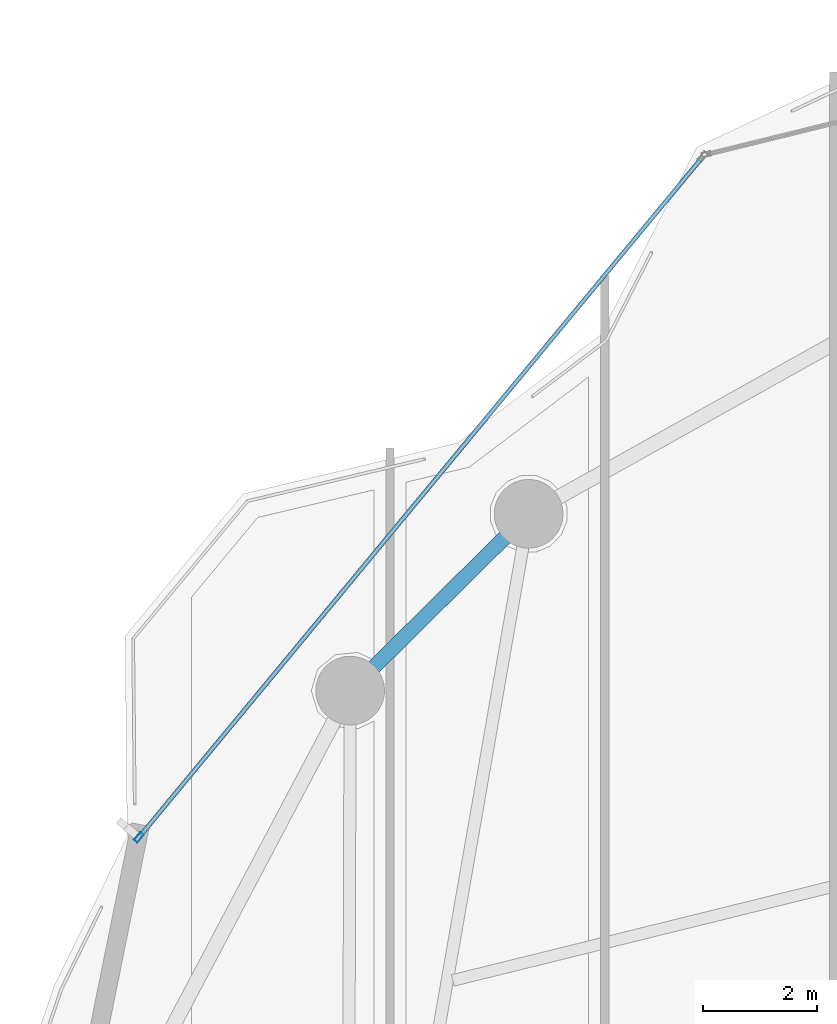
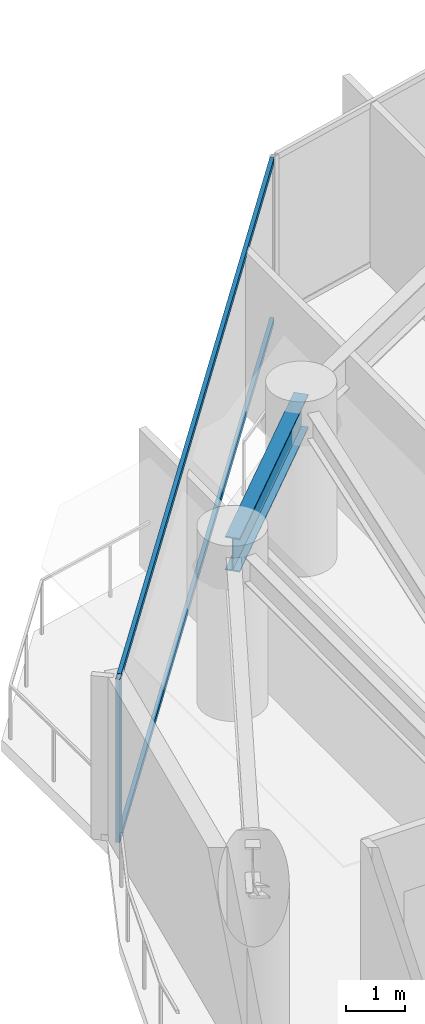
# One storey, part 16 of 28: 3 members, 1 beam, 1 element without a shape of its own.
"""IFC4 building model written with IfcOpenShell, lengths in metres."""

from ifc_helpers import new_model, si_unit, direction, frame, origin, origin_2d, place, context, subcontext, project, spatial, hollow_rectangle, i_section, extrude, material, layer, layer_set, material_profile, profile_set, type_object, element, aggregate, save


model = new_model("IFC4")

# Units and contexts
model_context = context("Model", 3, precision=1e-05, world=origin(), true_north=direction((0.0, 1.0)))
body_context = subcontext(model_context, "Body", "Model", "MODEL_VIEW")
ifc_project = project(units=[si_unit("LENGTHUNIT", "METRE"), si_unit("AREAUNIT", "SQUARE_METRE"), si_unit("VOLUMEUNIT", "CUBIC_METRE"), si_unit("PLANEANGLEUNIT", "RADIAN"), si_unit("MASSUNIT", "GRAM", prefix="KILO")], contexts=[model_context])

# Site, building, storey
site_placement = place(None, origin())
site = spatial("IfcSite", under=ifc_project, at=site_placement, CompositionType="ELEMENT")
building_placement = place(site_placement, origin())
building = spatial("IfcBuilding", under=site, at=building_placement, Name="Kazevale Care Tower and Concert Hall", CompositionType="ELEMENT")
storey_placement = place(building_placement, frame((0.0, 0.0, 138.60009765625)))
storey = spatial("IfcBuildingStorey", under=building, at=storey_placement, Name="L36", CompositionType="ELEMENT", Elevation=138.60009765625)

# Curtain wall, members
ifc_material_1 = material(Name="Aluminium 6063-T6 and Low-E Glass", Category="aluminium")
ifc_layer = layer(ifc_material_1, 0.179931640625)
ifc_layer_set = layer_set([ifc_layer], Name="Aluminium 6063-T6 and Low-E Glass")
curtain_wall_type = type_object("IfcCurtainWallType", Name="Convex Checkerboard Finned Curtain Wall CW-2", PredefinedType="NOTDEFINED", material=ifc_layer_set)
curtain_wall_placement = place(storey_placement, origin())
curtain_wall = element("IfcCurtainWall", 1, at=curtain_wall_placement, inside=storey, type_object=curtain_wall_type, Name="cw:L36:f14", PredefinedType="NOTDEFINED")
ifc_material_2 = material(Name="Aluminium 6063-T6", Category="aluminium")
ifc_material_profile_1 = material_profile(ifc_material_2, hollow_rectangle(XDim=0.080078125, YDim=0.179931640625, WallThickness=0.0048828125, at=origin_2d()), Name="ALU80x180x5")
ifc_profile_set_1 = profile_set([ifc_material_profile_1], Name="Aluminium 6063-T6")
member_type_1 = type_object("IfcMemberType", Name="CW-2 Mullion ALU80x180x5", PredefinedType="MULLION", material=ifc_profile_set_1)
member_1_placement = place(storey_placement, frame((18.357421875, 48.923828125, 0.0), z_axis=(0.0, 0.0, 1.0), x_axis=(-0.770049579196, 0.637984048061, 0.0)))
member_1 = element("IfcMember", 2, at=member_1_placement, type_object=member_type_1, Name="CW-2 mullion 1", PredefinedType="MULLION", context=body_context, shape_type="SweptSolid", body=[
    extrude(hollow_rectangle(XDim=0.080078125, YDim=0.179931640625, WallThickness=0.0048828125, at=origin_2d()), origin(), (0.0, 0.0, 1.0), 3.35986328125),
])
ifc_material_profile_2 = material_profile(ifc_material_2, hollow_rectangle(XDim=0.074951171875, YDim=0.1201171875, WallThickness=0.00390625, at=origin_2d()), Name="ALU75x120x4")
ifc_profile_set_2 = profile_set([ifc_material_profile_2], Name="Aluminium 6063-T6")
member_type_2 = type_object("IfcMemberType", Name="CW-2 Transom ALU75x120x4", PredefinedType="USERDEFINED", material=ifc_profile_set_2)
member_2_placement = place(storey_placement, frame((18.383056640625, 48.95458984375, 0.037353515625), z_axis=(0.637986649499, 0.770047423904, 0.0), x_axis=(-0.770047423904, 0.637986649499, 0.0)))
member_2 = element("IfcMember", 3, at=member_2_placement, type_object=member_type_2, Name="CW-2 transom 1.1", ObjectType="TRANSOM", PredefinedType="USERDEFINED", context=body_context, shape_type="SweptSolid", body=[
    extrude(hollow_rectangle(XDim=0.074951171875, YDim=0.1201171875, WallThickness=0.00390625, at=origin_2d()), origin(), (0.0, 0.0, 1.0), 15.3701171875),
])
member_3_placement = place(storey_placement, frame((18.383056640625, 48.95458984375, 3.322509765625), z_axis=(0.637986649499, 0.770047423904, 0.0), x_axis=(-0.770047423904, 0.637986649499, 0.0)))
member_3 = element("IfcMember", 4, at=member_3_placement, type_object=member_type_2, Name="CW-2 transom 1.2", ObjectType="TRANSOM", PredefinedType="USERDEFINED", context=body_context, shape_type="SweptSolid", body=[
    extrude(hollow_rectangle(XDim=0.074951171875, YDim=0.1201171875, WallThickness=0.00390625, at=origin_2d()), origin(), (0.0, 0.0, 1.0), 15.3701171875),
])
aggregate(curtain_wall, [member_1, member_2, member_3])

# Beam
ifc_material_3 = material(Name="Steel ASTM A572 Gr 50", Category="steel")
ifc_material_profile_3 = material_profile(ifc_material_3, i_section(OverallWidth=0.256103515625, OverallDepth=0.693115234375, WebThickness=0.014404296875, FlangeThickness=0.023681640625, at=origin_2d()), Name="W690x170")
ifc_profile_set_3 = profile_set([ifc_material_profile_3], Name="Steel ASTM A572 Gr 50")
beam_type = type_object("IfcBeamType", Name="Waist Ring Beam W690x170", PredefinedType="BEAM", material=ifc_profile_set_3)
beam_placement = place(storey_placement, frame((25.169921875, 54.580078125, 3.013427734375), z_axis=(-0.710490141585, -0.703707154085, 0.0), x_axis=(0.703707154085, -0.710490141585, 0.0)))
element("IfcBeam", 5, at=beam_placement, inside=storey, type_object=beam_type, Name="beam:L36:ring:07", PredefinedType="BEAM", context=body_context, shape_type="SweptSolid", body=[
    extrude(i_section(OverallWidth=0.256103515625, OverallDepth=0.693115234375, WebThickness=0.014404296875, FlangeThickness=0.023681640625, at=origin_2d()), origin(), (0.0, 0.0, 1.0), 4.39111328125),
])

save(model, "model.ifc")
